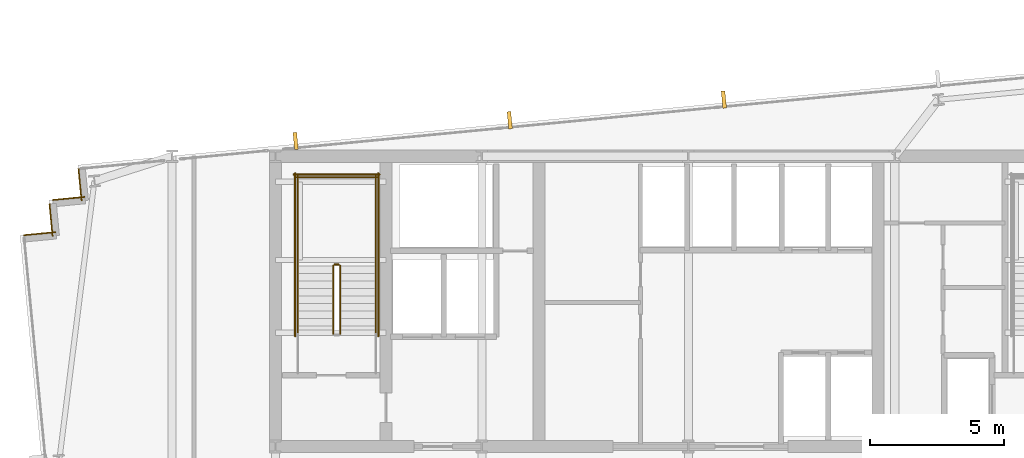
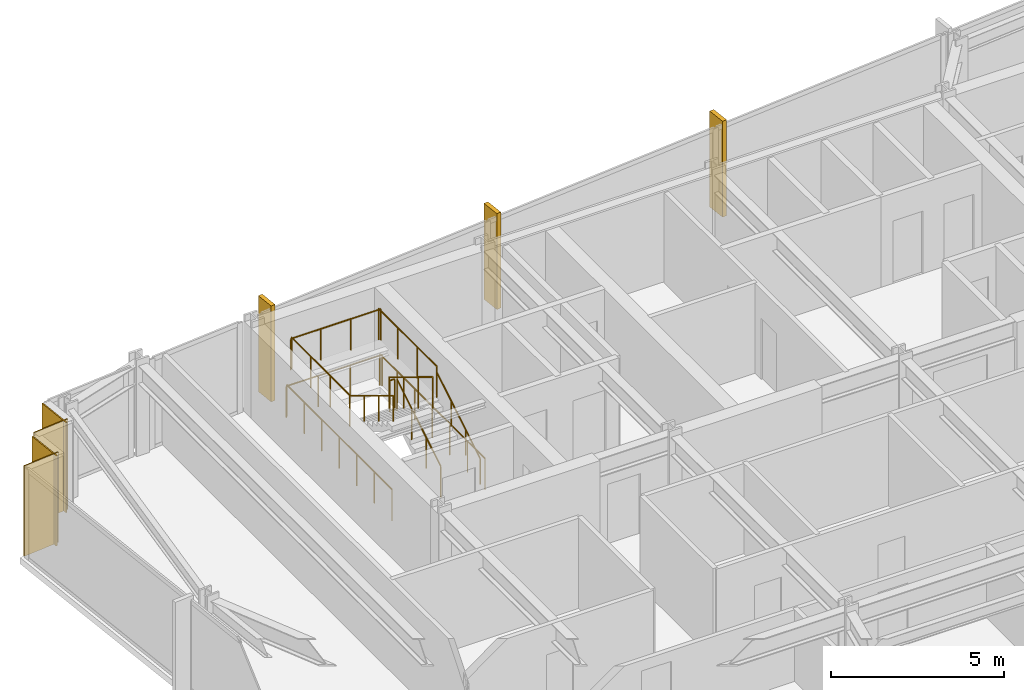
# One storey, part 32 of 33: 11 railings, 4 coverings, 3 shading devices.
"""IFC4 building model written with IfcOpenShell, lengths in metres."""

import ifcopenshell
import ifcopenshell.guid

model = None  # the IFC model being written
_history = None  # IfcOwnerHistory: only IFC2X3 demands one
_inside = {}  # id of a spatial element -> (the spatial element, [elements in it])
_under = {}  # id of a project, library or spatial element -> (it, [spatial elements below it])
_declared = {}  # id of a project -> (the project, [libraries it declares])
_typed = {}  # id of a type object -> (the type object, [elements of that type])
_made_of = {}  # id of a material, layer set ... -> (it, [elements and type objects made of it])


def new_model(schema):
    """Start an empty IFC model of exactly this schema.

    Asked for "IFC4X3", IfcOpenShell would pick the latest addendum, in which some entities
    have other attributes; the version numbers below select the first issue.
    IFC2X3 requires an IfcOwnerHistory on every rooted entity: one is made here for all.
    """
    global model, _history
    if schema == "IFC4X3":
        model = ifcopenshell.file(schema_version=(4, 3, 0, 0))
    else:
        model = ifcopenshell.file(schema=schema)
    _inside.clear()
    _under.clear()
    _declared.clear()
    _typed.clear()
    _made_of.clear()
    _history = None
    if model.schema == "IFC2X3":
        org = make("IfcOrganization", Name="unknown")
        user = make(
            "IfcPersonAndOrganization",
            ThePerson=make("IfcPerson", FamilyName="unknown"),
            TheOrganization=org,
        )
        app = make(
            "IfcApplication",
            ApplicationDeveloper=org,
            Version="unknown",
            ApplicationFullName="unknown",
            ApplicationIdentifier="unknown",
        )
        _history = make(
            "IfcOwnerHistory",
            OwningUser=user,
            OwningApplication=app,
            ChangeAction="ADDED",
            CreationDate=0,
        )
    return model


def make(cls, **values):
    """One entity of the class cls with the attributes given. An attribute that is None is left unset."""
    return model.create_entity(
        cls, **{name: value for name, value in values.items() if value is not None}
    )


def rooted(cls, **values):
    """An entity with a GlobalId (a new one), such as an element, a storey or a relation."""
    return make(cls, GlobalId=ifcopenshell.guid.new(), OwnerHistory=_history, **values)


def si_unit(unit_type, name, prefix=None):
    """IfcSIUnit, for example si_unit("LENGTHUNIT", "METRE", prefix="MILLI")."""
    return make("IfcSIUnit", UnitType=unit_type, Prefix=prefix, Name=name)


def assignment(units):
    """IfcUnitAssignment: the units of a project."""
    return None if units is None else make("IfcUnitAssignment", Units=units)


def point(xyz):
    """IfcCartesianPoint."""
    return None if xyz is None else make("IfcCartesianPoint", Coordinates=xyz)


def direction(xyz):
    """IfcDirection."""
    return None if xyz is None else make("IfcDirection", DirectionRatios=xyz)


def frame(location, z_axis=None, x_axis=None):
    """IfcAxis2Placement3D, a coordinate frame: its origin and axes. An axis left out is left unset."""
    return make(
        "IfcAxis2Placement3D",
        Location=point(location),
        Axis=direction(z_axis),
        RefDirection=direction(x_axis),
    )


def frame_2d(location, x_axis=None):
    """IfcAxis2Placement2D, a coordinate frame in the plane: its origin and x axis."""
    return make(
        "IfcAxis2Placement2D", Location=point(location), RefDirection=direction(x_axis)
    )


def origin():
    """The frame at (0, 0, 0) with its axes left unset."""
    return frame((0.0, 0.0, 0.0))


def origin_2d():
    """The frame at (0, 0) in the plane with its x axis left unset."""
    return frame_2d((0.0, 0.0))


def place(relative_to, where):
    """IfcLocalPlacement: puts the frame where relative to a parent placement (None: the world)."""
    return make(
        "IfcLocalPlacement", PlacementRelTo=relative_to, RelativePlacement=where
    )


def context(
    kind, dimensions, precision=None, world=None, true_north=None, identifier=None
):
    """IfcGeometricRepresentationContext, for example the 3D "Model" context."""
    return make(
        "IfcGeometricRepresentationContext",
        ContextIdentifier=identifier,
        ContextType=kind,
        CoordinateSpaceDimension=dimensions,
        Precision=precision,
        WorldCoordinateSystem=world,
        TrueNorth=true_north,
    )


def subcontext(parent, identifier, kind, view, scale=None):
    """IfcGeometricRepresentationSubContext, for example "Body" below "Model"."""
    return make(
        "IfcGeometricRepresentationSubContext",
        ContextIdentifier=identifier,
        ContextType=kind,
        ParentContext=parent,
        TargetScale=scale,
        TargetView=view,
    )


def project(units=None, contexts=None):
    """IfcProject with its units and contexts."""
    return rooted(
        "IfcProject",
        Name="project",
        RepresentationContexts=contexts,
        UnitsInContext=assignment(units),
    )


def spatial(cls, under=None, at=None, **own):
    """A site, building, storey or space (cls), placed at a placement, below another one or the project."""
    s = rooted(cls, ObjectPlacement=at, **own)
    if under is not None:
        _under.setdefault(under.id(), (under, []))[1].append(s)
    return s


def profile(cls, at=None, kind="AREA", **sizes):
    """A parametric profile (cls). Its sizes go by their IFC names, for example OverallWidth=200.0."""
    return make(cls, ProfileType=kind, Position=at, **sizes)


def rectangle(**sizes):
    """IfcRectangleProfileDef."""
    return profile("IfcRectangleProfileDef", **sizes)


def circle(**sizes):
    """IfcCircleProfileDef."""
    return profile("IfcCircleProfileDef", **sizes)


def extrude(swept, where, along, depth):
    """IfcExtrudedAreaSolid: the profile swept, set in the frame where, extruded along a direction by depth."""
    return make(
        "IfcExtrudedAreaSolid",
        SweptArea=swept,
        Position=where,
        ExtrudedDirection=direction(along),
        Depth=depth,
    )


def shape(context_of_items, identifier, shape_type, items):
    """IfcShapeRepresentation: the items that make up one representation, for example the "Body"."""
    return make(
        "IfcShapeRepresentation",
        ContextOfItems=context_of_items,
        RepresentationIdentifier=identifier,
        RepresentationType=shape_type,
        Items=items,
    )


def material(Name=None, Category=None):
    """IfcMaterial."""
    return make("IfcMaterial", Name=Name, Category=Category)


def layer(
    of_material, thickness, ventilated=None, Name=None, Category=None, Priority=None
):
    """IfcMaterialLayer: one layer of a wall or slab, of a material (None: an air gap)."""
    return make(
        "IfcMaterialLayer",
        Material=of_material,
        LayerThickness=thickness,
        IsVentilated=ventilated,
        Name=Name,
        Category=Category,
        Priority=Priority,
    )


def layer_set(layers, Name=None):
    """IfcMaterialLayerSet."""
    return make("IfcMaterialLayerSet", MaterialLayers=layers, LayerSetName=Name)


def made_of(thing, what):
    """Note that an element or type object is made of a material, layer set ...; save() writes the relation."""
    if what is not None:
        _made_of.setdefault(what.id(), (what, []))[1].append(thing)
    return thing


def type_object(cls, material=None, **own):
    """A type object (cls), such as IfcWallType, which elements share."""
    return made_of(rooted(cls, **own), material)


def element(
    cls,
    number,
    at=None,
    inside=None,
    cuts=None,
    type_object=None,
    material=None,
    context=None,
    identifier="Body",
    shape_type=None,
    held_by="IfcProductDefinitionShape",
    body=None,
    shapes=None,
    **own,
):
    """One element of the class cls, such as IfcWall. Its Tag is "e" and its number.

    at: its placement. inside: the storey or other place that contains it. cuts: it is an
    opening in that element (IfcRelVoidsElement). A single representation is given by context,
    identifier, shape_type and body (its items); several are given by shapes. held_by: the class
    of the entity that holds the representations. save() writes the other relations.
    """
    e = rooted(cls, Tag="e%d" % number, ObjectPlacement=at, **own)
    if body is not None:
        shapes = [shape(context, identifier, shape_type, body)]
    if shapes is not None:
        e.Representation = make(held_by, Representations=shapes)
    if inside is not None:
        _inside.setdefault(inside.id(), (inside, []))[1].append(e)
    if cuts is not None:
        rooted(
            "IfcRelVoidsElement", RelatingBuildingElement=cuts, RelatedOpeningElement=e
        )
    if type_object is not None:
        _typed.setdefault(type_object.id(), (type_object, []))[1].append(e)
    return made_of(e, material)


def aggregate(whole, parts):
    """IfcRelAggregates: a whole, such as a stair, and the parts it consists of."""
    return rooted("IfcRelAggregates", RelatingObject=whole, RelatedObjects=parts)


def save(model, path):
    """Write the relations noted so far, then the file.

    IfcRelAggregates (storeys below a building ...), IfcRelContainedInSpatialStructure (elements
    in a storey), IfcRelDefinesByType, IfcRelAssociatesMaterial and IfcRelDeclares: one each for
    every whole, place, type object, material and project.
    """
    for whole, parts in _under.values():
        aggregate(whole, parts)
    for where, things in _inside.values():
        rooted(
            "IfcRelContainedInSpatialStructure",
            RelatedElements=things,
            RelatingStructure=where,
        )
    for kind, things in _typed.values():
        rooted("IfcRelDefinesByType", RelatedObjects=things, RelatingType=kind)
    for what, things in _made_of.values():
        rooted("IfcRelAssociatesMaterial", RelatedObjects=things, RelatingMaterial=what)
    for by, libraries in _declared.values():
        rooted("IfcRelDeclares", RelatingContext=by, RelatedDefinitions=libraries)
    model.write(path)


model = new_model("IFC4")

# Units and contexts
model_context = context("Model", 3, precision=1e-05, world=origin(), true_north=direction((0.0, 1.0)))
body_context = subcontext(model_context, "Body", "Model", "MODEL_VIEW")
ifc_project = project(units=[si_unit("LENGTHUNIT", "METRE"), si_unit("AREAUNIT", "SQUARE_METRE"), si_unit("VOLUMEUNIT", "CUBIC_METRE"), si_unit("PLANEANGLEUNIT", "RADIAN"), si_unit("MASSUNIT", "GRAM", prefix="KILO")], contexts=[model_context])

# Site, building, storey
site_placement = place(None, origin())
site = spatial("IfcSite", under=ifc_project, at=site_placement, CompositionType="ELEMENT")
building_placement = place(site_placement, origin())
building = spatial("IfcBuilding", under=site, at=building_placement, Name="Yelkora Congress Tower", CompositionType="ELEMENT")
storey_placement = place(building_placement, frame((0.0, 0.0, 110.10009765625)))
storey = spatial("IfcBuildingStorey", under=building, at=storey_placement, Name="L29", CompositionType="ELEMENT", Elevation=110.10009765625)

# Coverings
ifc_material_1 = material(Name="Anatolian bush-hammered limestone", Category="masonry")
ifc_layer_1 = layer(ifc_material_1, 0.0400390625)
ifc_layer_set_1 = layer_set([ifc_layer_1], Name="Anatolian bush-hammered limestone")
covering_type = type_object("IfcCoveringType", Name="COV-CLAD-SPANDREL-40", PredefinedType="CLADDING", material=ifc_layer_set_1)
for number, where, z_axis, x_axis, name in (
    (1, (13.677978515625, 43.260986328125, 0.0), (0.0, 0.0, 1.0), (0.995397091755, 0.095836473879, 0.0), "L29 Anatolian Limestone Cladding EW-L29-SR06"),
    (2, (14.7509765625, 43.228759765625, 0.0), (0.0, 0.0, 1.0), (-0.095836473879, 0.995397091755, 0.0), "L29 Anatolian Limestone Cladding EW-L29-SR07"),
):
    element("IfcCovering", number, at=place(storey_placement, frame(where, z_axis=z_axis, x_axis=x_axis)), inside=storey, type_object=covering_type, Name=name, PredefinedType="CLADDING", context=body_context, shape_type="SweptSolid", body=[
        extrude(rectangle(XDim=1.199951171875, YDim=0.0400390625, at=frame_2d((0.60009765625, 0.0))), origin(), (0.0, 0.0, 1.0), 3.179931640625),
    ])
for number, where, z_axis, x_axis, name in (
    (3, (14.75732421875, 44.570556640625, 0.0), (0.0, 0.0, 1.0), (0.995398960025, 0.095817067274, 0.0), "L29 Anatolian Limestone Cladding EW-L29-SR08"),
    (4, (15.830322265625, 44.5380859375, 0.0), (0.0, 0.0, 1.0), (-0.095817067274, 0.995398960025, 0.0), "L29 Anatolian Limestone Cladding EW-L29-SR09"),
):
    element("IfcCovering", number, at=place(storey_placement, frame(where, z_axis=z_axis, x_axis=x_axis)), inside=storey, type_object=covering_type, Name=name, PredefinedType="CLADDING", context=body_context, shape_type="SweptSolid", body=[
        extrude(rectangle(XDim=1.2001953125, YDim=0.0400390625, at=frame_2d((0.60009765625, 0.0))), origin(), (0.0, 0.0, 1.0), 3.179931640625),
    ])

# Railings
ifc_material_2 = material(Name="Painted galvanised steel stair well guard with vertical infill", Category="steel")
ifc_layer_2 = layer(ifc_material_2, 0.06005859375)
ifc_layer_set_2 = layer_set([ifc_layer_2], Name="Painted galvanised steel stair well guard with vertical infill")
railing_type_1 = type_object("IfcRailingType", Name="RAIL-STAIR-GUARD-1120", PredefinedType="GUARDRAIL", material=ifc_layer_set_2)
railing_1_placement = place(storey_placement, frame((25.449951171875, 39.60009765625, 0.169921875)))
element("IfcRailing", 5, at=railing_1_placement, inside=storey, type_object=railing_type_1, Name="ST-01 L29 Stair Well Guardrail 1", PredefinedType="GUARDRAIL", context=body_context, shape_type="SweptSolid", body=[
    extrude(circle(Radius=0.02392578125, at=origin_2d()), frame((0.0, 0.0, 1.09619140625), z_axis=(0.0, 0.85478489116, 0.518982456201), x_axis=(-1.0, 0.0, 0.0)), (0.0, 0.0, 1.0), 2.9482421875),
    extrude(circle(Radius=0.02099609375, at=origin_2d()), origin(), (0.0, 0.0, 1.0), 1.072021484375),
    extrude(circle(Radius=0.02099609375, at=origin_2d()), frame((0.0, 0.840087890625, 0.510009765625)), (0.0, 0.0, 1.0), 1.072021484375),
    extrude(circle(Radius=0.02099609375, at=origin_2d()), frame((0.0, 1.679931640625, 1.02001953125)), (0.0, 0.0, 1.0), 1.072021484375),
    extrude(circle(Radius=0.02099609375, at=origin_2d()), frame((0.0, 2.52001953125, 1.530029296875)), (0.0, 0.0, 1.0), 1.072021484375),
])
railing_2_placement = place(storey_placement, frame((25.39990234375, 42.169921875, 1.699951171875)))
element("IfcRailing", 6, at=railing_2_placement, inside=storey, type_object=railing_type_1, Name="ST-01 L29 Stair Well Guardrail 2", PredefinedType="GUARDRAIL", context=body_context, shape_type="SweptSolid", body=[
    extrude(circle(Radius=0.02392578125, at=origin_2d()), frame((0.0, 0.0, 1.09619140625), z_axis=(-1.0, 0.0, 0.0), x_axis=(0.0, -1.0, 0.0)), (0.0, 0.0, 1.0), 0.159912109375),
    extrude(circle(Radius=0.02099609375, at=origin_2d()), origin(), (0.0, 0.0, 1.0), 1.072021484375),
    extrude(circle(Radius=0.02099609375, at=origin_2d()), frame((-0.159912109375, 0.0, 0.0)), (0.0, 0.0, 1.0), 1.072021484375),
])
for number, where, name in (
    (7, (26.77001953125, 42.1201171875, 1.699951171875), "ST-01 L29 Stair Well Guardrail 3"),
    (8, (23.8701171875, 42.1201171875, 1.699951171875), "ST-01 L29 Stair Well Guardrail 4"),
):
    element("IfcRailing", number, at=place(storey_placement, frame(where)), inside=storey, type_object=railing_type_1, Name=name, PredefinedType="GUARDRAIL", context=body_context, shape_type="SweptSolid", body=[
        extrude(circle(Radius=0.02392578125, at=origin_2d()), frame((0.0, 0.0, 1.09619140625), z_axis=(0.0, 1.0, 0.0), x_axis=(-1.0, 0.0, 0.0)), (0.0, 0.0, 1.0), 3.349853515625),
        extrude(circle(Radius=0.02099609375, at=origin_2d()), origin(), (0.0, 0.0, 1.0), 1.072021484375),
        extrude(circle(Radius=0.02099609375, at=origin_2d()), frame((0.0, 1.11669921875, 0.0)), (0.0, 0.0, 1.0), 1.072021484375),
        extrude(circle(Radius=0.02099609375, at=origin_2d()), frame((0.0, 2.233154296875, 0.0)), (0.0, 0.0, 1.0), 1.072021484375),
        extrude(circle(Radius=0.02099609375, at=origin_2d()), frame((0.0, 3.349853515625, 0.0)), (0.0, 0.0, 1.0), 1.072021484375),
    ])
railing_3_placement = place(storey_placement, frame((26.820068359375, 45.419921875, 1.699951171875)))
element("IfcRailing", 9, at=railing_3_placement, inside=storey, type_object=railing_type_1, Name="ST-01 L29 Stair Well Guardrail 5", PredefinedType="GUARDRAIL", context=body_context, shape_type="SweptSolid", body=[
    extrude(circle(Radius=0.02392578125, at=origin_2d()), frame((0.0, 0.0, 1.09619140625), z_axis=(-1.0, 0.0, 0.0), x_axis=(0.0, -1.0, 0.0)), (0.0, 0.0, 1.0), 3.0),
    extrude(circle(Radius=0.02099609375, at=origin_2d()), origin(), (0.0, 0.0, 1.0), 1.072021484375),
    extrude(circle(Radius=0.02099609375, at=origin_2d()), frame((-1.0, 0.0, 0.0)), (0.0, 0.0, 1.0), 1.072021484375),
    extrude(circle(Radius=0.02099609375, at=origin_2d()), frame((-2.0, 0.0, 0.0)), (0.0, 0.0, 1.0), 1.072021484375),
    extrude(circle(Radius=0.02099609375, at=origin_2d()), frame((-3.0, 0.0, 0.0)), (0.0, 0.0, 1.0), 1.072021484375),
])
railing_4_placement = place(storey_placement, frame((25.18994140625, 42.1201171875, 1.869873046875)))
element("IfcRailing", 10, at=railing_4_placement, inside=storey, type_object=railing_type_1, Name="ST-01 L29 Stair Well Guardrail 6", PredefinedType="GUARDRAIL", context=body_context, shape_type="SweptSolid", body=[
    extrude(circle(Radius=0.02392578125, at=origin_2d()), frame((0.0, 0.0, 1.09619140625), z_axis=(0.0, -0.85478489116, 0.518982456201), x_axis=(1.0, 0.0, 0.0)), (0.0, 0.0, 1.0), 2.9482421875),
    extrude(circle(Radius=0.02099609375, at=origin_2d()), origin(), (0.0, 0.0, 1.0), 1.072021484375),
    extrude(circle(Radius=0.02099609375, at=origin_2d()), frame((0.0, -0.840087890625, 0.510009765625)), (0.0, 0.0, 1.0), 1.072021484375),
    extrude(circle(Radius=0.02099609375, at=origin_2d()), frame((0.0, -1.679931640625, 1.02001953125)), (0.0, 0.0, 1.0), 1.072021484375),
    extrude(circle(Radius=0.02099609375, at=origin_2d()), frame((0.0, -2.52001953125, 1.530029296875)), (0.0, 0.0, 1.0), 1.072021484375),
])
for number, where, name in (
    (11, (26.8701171875, 39.5, 0.0), "ST-01 L29 Stair Well Guardrail 10"),
    (12, (23.77001953125, 39.5, 0.0), "ST-01 L29 Stair Well Guardrail 11"),
):
    element("IfcRailing", number, at=place(storey_placement, frame(where)), inside=storey, type_object=railing_type_1, Name=name, PredefinedType="GUARDRAIL", context=body_context, shape_type="SweptSolid", body=[
        extrude(circle(Radius=0.02392578125, at=origin_2d()), frame((0.0, 0.0, 1.09619140625), z_axis=(0.0, 1.0, 0.0), x_axis=(-1.0, 0.0, 0.0)), (0.0, 0.0, 1.0), 6.070068359375),
        extrude(circle(Radius=0.02099609375, at=origin_2d()), origin(), (0.0, 0.0, 1.0), 1.072021484375),
        extrude(circle(Radius=0.02099609375, at=origin_2d()), frame((0.0, 1.01171875, 0.0)), (0.0, 0.0, 1.0), 1.072021484375),
        extrude(circle(Radius=0.02099609375, at=origin_2d()), frame((0.0, 2.0234375, 0.0)), (0.0, 0.0, 1.0), 1.072021484375),
        extrude(circle(Radius=0.02099609375, at=origin_2d()), frame((0.0, 3.03515625, 0.0)), (0.0, 0.0, 1.0), 1.072021484375),
        extrude(circle(Radius=0.02099609375, at=origin_2d()), frame((0.0, 4.046630859375, 0.0)), (0.0, 0.0, 1.0), 1.072021484375),
        extrude(circle(Radius=0.02099609375, at=origin_2d()), frame((0.0, 5.058349609375, 0.0)), (0.0, 0.0, 1.0), 1.072021484375),
        extrude(circle(Radius=0.02099609375, at=origin_2d()), frame((0.0, 6.070068359375, 0.0)), (0.0, 0.0, 1.0), 1.072021484375),
    ])
railing_5_placement = place(storey_placement, frame((26.919921875, 45.52001953125, 0.0)))
element("IfcRailing", 13, at=railing_5_placement, inside=storey, type_object=railing_type_1, Name="ST-01 L29 Stair Well Guardrail 12", PredefinedType="GUARDRAIL", context=body_context, shape_type="SweptSolid", body=[
    extrude(circle(Radius=0.02392578125, at=origin_2d()), frame((0.0, 0.0, 1.09619140625), z_axis=(-1.0, 0.0, 0.0), x_axis=(0.0, -1.0, 0.0)), (0.0, 0.0, 1.0), 3.199951171875),
    extrude(circle(Radius=0.02099609375, at=origin_2d()), origin(), (0.0, 0.0, 1.0), 1.072021484375),
    extrude(circle(Radius=0.02099609375, at=origin_2d()), frame((-1.066650390625, 0.0, 0.0)), (0.0, 0.0, 1.0), 1.072021484375),
    extrude(circle(Radius=0.02099609375, at=origin_2d()), frame((-2.13330078125, 0.0, 0.0)), (0.0, 0.0, 1.0), 1.072021484375),
    extrude(circle(Radius=0.02099609375, at=origin_2d()), frame((-3.199951171875, 0.0, 0.0)), (0.0, 0.0, 1.0), 1.072021484375),
])
ifc_material_3 = material(Name="Brushed stainless steel tubular handrail", Category="steel")
ifc_layer_3 = layer(ifc_material_3, 0.050048828125)
ifc_layer_set_3 = layer_set([ifc_layer_3], Name="Brushed stainless steel tubular handrail")
railing_type_2 = type_object("IfcRailingType", Name="RAIL-STAIR-HAND-920", PredefinedType="HANDRAIL", material=ifc_layer_set_3)
railing_6_placement = place(storey_placement, frame((26.77001953125, 39.60009765625, 0.169921875)))
element("IfcRailing", 14, at=railing_6_placement, inside=storey, type_object=railing_type_2, Name="ST-01 L29 Pitch Handrail 1", PredefinedType="HANDRAIL", context=body_context, shape_type="SweptSolid", body=[
    extrude(circle(Radius=0.02392578125, at=origin_2d()), frame((0.0, 0.0, 0.89599609375), z_axis=(0.0, 0.85478489116, 0.518982456201), x_axis=(-1.0, 0.0, 0.0)), (0.0, 0.0, 1.0), 2.9482421875),
    extrude(circle(Radius=0.02099609375, at=origin_2d()), origin(), (0.0, 0.0, 1.0), 0.871826171875),
    extrude(circle(Radius=0.02099609375, at=origin_2d()), frame((0.0, 0.840087890625, 0.510009765625)), (0.0, 0.0, 1.0), 0.871826171875),
    extrude(circle(Radius=0.02099609375, at=origin_2d()), frame((0.0, 1.679931640625, 1.02001953125)), (0.0, 0.0, 1.0), 0.871826171875),
    extrude(circle(Radius=0.02099609375, at=origin_2d()), frame((0.0, 2.52001953125, 1.530029296875)), (0.0, 0.0, 1.0), 0.871826171875),
])
railing_7_placement = place(storey_placement, frame((23.8701171875, 42.1201171875, 1.869873046875)))
element("IfcRailing", 15, at=railing_7_placement, inside=storey, type_object=railing_type_2, Name="ST-01 L29 Pitch Handrail 2", PredefinedType="HANDRAIL", context=body_context, shape_type="SweptSolid", body=[
    extrude(circle(Radius=0.02392578125, at=origin_2d()), frame((0.0, 0.0, 0.89599609375), z_axis=(0.0, -0.85478489116, 0.518982456201), x_axis=(1.0, 0.0, 0.0)), (0.0, 0.0, 1.0), 2.9482421875),
    extrude(circle(Radius=0.02099609375, at=origin_2d()), origin(), (0.0, 0.0, 1.0), 0.871826171875),
    extrude(circle(Radius=0.02099609375, at=origin_2d()), frame((0.0, -0.840087890625, 0.510009765625)), (0.0, 0.0, 1.0), 0.871826171875),
    extrude(circle(Radius=0.02099609375, at=origin_2d()), frame((0.0, -1.679931640625, 1.02001953125)), (0.0, 0.0, 1.0), 0.871826171875),
    extrude(circle(Radius=0.02099609375, at=origin_2d()), frame((0.0, -2.52001953125, 1.530029296875)), (0.0, 0.0, 1.0), 0.871826171875),
])

# Shading devices
ifc_material_4 = material(Name="Champagne anodised aluminium", Category="aluminium")
ifc_layer_4 = layer(ifc_material_4, 3.39990234375)
ifc_layer_set_4 = layer_set([ifc_layer_4], Name="Champagne anodised aluminium")
shading_device_type = type_object("IfcShadingDeviceType", Name="SHD-FIN-ALU-640", PredefinedType="USERDEFINED", material=ifc_layer_set_4)
for number, where, z_axis, x_axis, name in (
    (16, (23.791015625, 46.771484375, -0.030029296875), (0.0, 0.0, 1.0), (0.995396198367, 0.09584575252, 0.0), "L29 Vertical Anodised Solar Fin 10-1"),
    (17, (31.7568359375, 47.53857421875, -0.030029296875), (0.0, 0.0, 1.0), (0.995396198367, 0.09584575252, 0.0), "L29 Vertical Anodised Solar Fin 10-2"),
    (18, (39.722900390625, 48.3056640625, -0.030029296875), (0.0, 0.0, 1.0), (0.995396198367, 0.09584575252, 0.0), "L29 Vertical Anodised Solar Fin 10-3"),
):
    element("IfcShadingDevice", number, at=place(storey_placement, frame(where, z_axis=z_axis, x_axis=x_axis)), inside=storey, type_object=shading_device_type, Name=name, ObjectType="FIN", PredefinedType="USERDEFINED", context=body_context, shape_type="SweptSolid", body=[
        extrude(rectangle(XDim=0.139892578125, YDim=0.639892578125, at=origin_2d()), origin(), (0.0, 0.0, 1.0), 3.3798828125),
    ])

save(model, "model.ifc")
